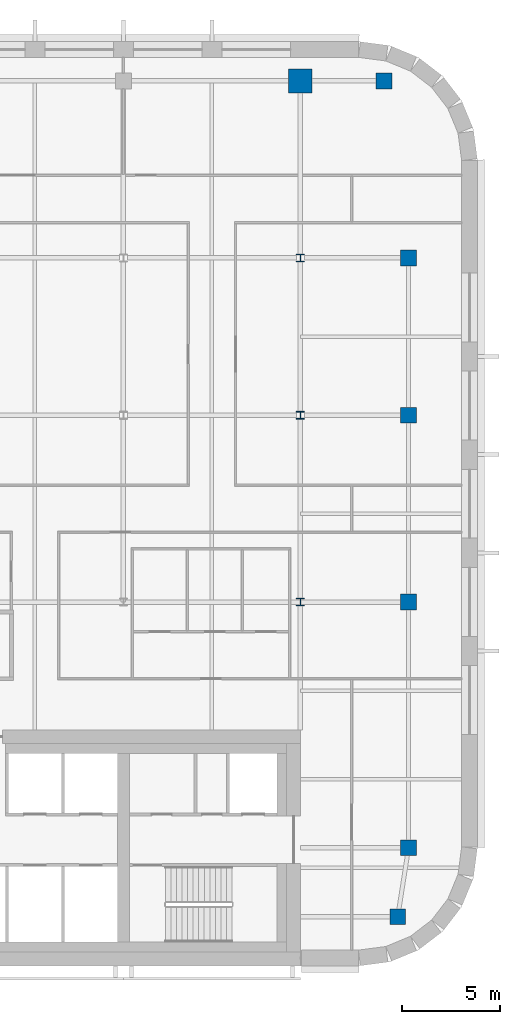
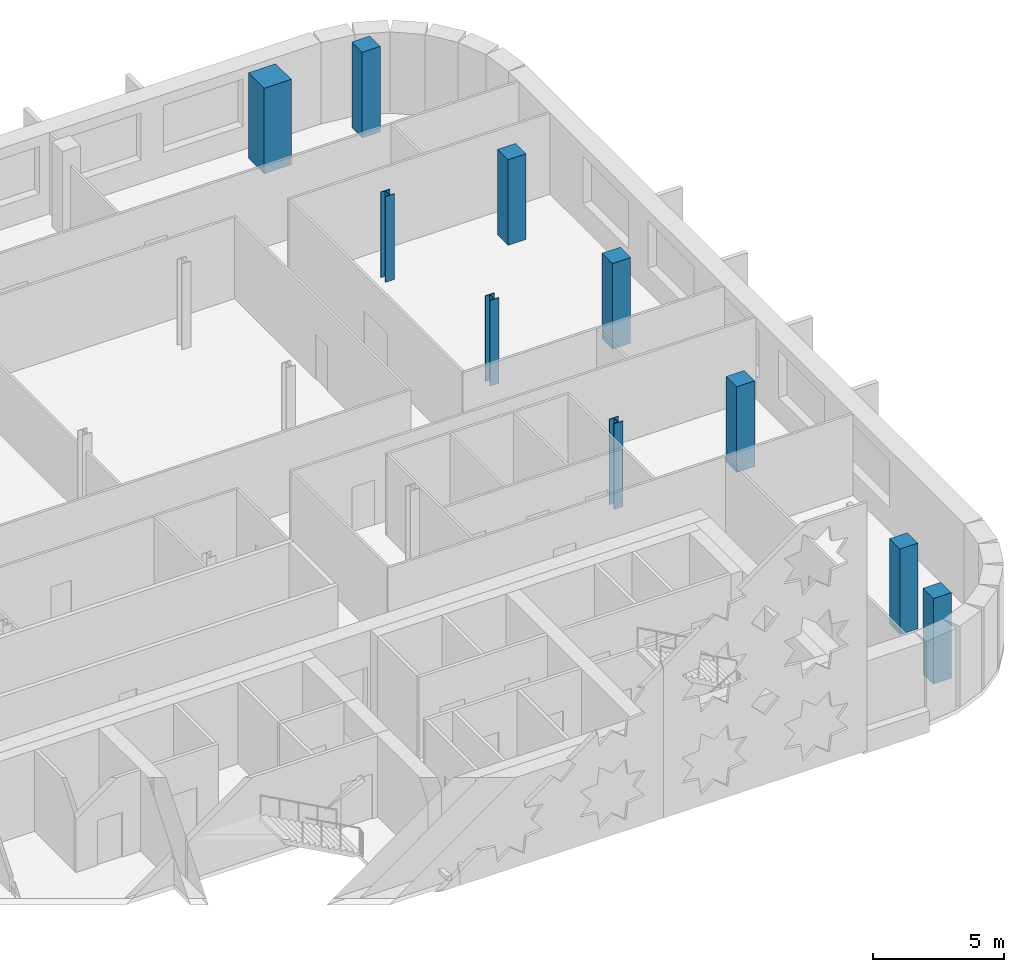
# One storey, part 4 of 18: 10 columns.
"""IFC4 building model written with IfcOpenShell, lengths in metres."""

from ifc_helpers import new_model, si_unit, direction, frame, origin, origin_2d, place, context, subcontext, project, spatial, rectangle, i_section, extrude, material, material_profile, profile_set, type_object, element, save


model = new_model("IFC4")

# Units and contexts
model_context = context("Model", 3, precision=1e-05, world=origin(), true_north=direction((0.0, 1.0)))
body_context = subcontext(model_context, "Body", "Model", "MODEL_VIEW")
ifc_project = project(units=[si_unit("LENGTHUNIT", "METRE"), si_unit("AREAUNIT", "SQUARE_METRE"), si_unit("VOLUMEUNIT", "CUBIC_METRE"), si_unit("PLANEANGLEUNIT", "RADIAN"), si_unit("MASSUNIT", "GRAM", prefix="KILO")], contexts=[model_context])

# Site, building, storey
site_placement = place(None, origin())
site = spatial("IfcSite", under=ifc_project, at=site_placement, CompositionType="ELEMENT")
building_placement = place(site_placement, origin())
building = spatial("IfcBuilding", under=site, at=building_placement, Name="Zellij Exchange Tower", CompositionType="ELEMENT")
storey_placement = place(building_placement, frame((0.0, 0.0, 228.5)))
storey = spatial("IfcBuildingStorey", under=building, at=storey_placement, Name="L53", CompositionType="ELEMENT", Elevation=228.5)

# Columns
ifc_material_1 = material(Name="Concrete C50/60", Category="concrete")
ifc_material_profile_1 = material_profile(ifc_material_1, rectangle(XDim=0.800048828125, YDim=0.800048828125, at=origin_2d()), Name="STR-COLUMN RC800x800 C50/60")
ifc_profile_set_1 = profile_set([ifc_material_profile_1], Name="Concrete C50/60")
column_type_1 = type_object("IfcColumnType", Name="STR-COLUMN RC800x800 C50/60", PredefinedType="COLUMN", material=ifc_profile_set_1)
for number, where, z_axis, x_axis, name in (
    (1, (31.949951171875, -11.5, 0.0), (0.0, 0.0, 1.0), (1.0, 0.0, 0.0), "C15"),
    (2, (32.5, -8.0, 0.0), (0.0, 0.0, 1.0), (1.0, 0.0, 0.0), "C15"),
    (3, (32.5, 4.5, 0.0), (0.0, 0.0, 1.0), (1.0, 0.0, 0.0), "C15"),
    (4, (32.5, 14.0, 0.0), (0.0, 0.0, 1.0), (1.0, 0.0, 0.0), "C15"),
    (5, (32.5, 22.0, 0.0), (0.0, 0.0, 1.0), (1.0, 0.0, 0.0), "C15"),
    (6, (31.25, 31.0, 0.0), (0.0, 0.0, 1.0), (1.0, 0.0, 0.0), "C15"),
):
    element("IfcColumn", number, at=place(storey_placement, frame(where, z_axis=z_axis, x_axis=x_axis)), inside=storey, type_object=column_type_1, Name=name, PredefinedType="COLUMN", context=body_context, shape_type="SweptSolid", body=[
        extrude(rectangle(XDim=0.800048828125, YDim=0.800048828125, at=origin_2d()), origin(), (0.0, 0.0, 1.0), 4.0),
    ])
ifc_material_2 = material(Name="Structural steel ASTM A992 Gr 50", Category="steel")
ifc_material_profile_2 = material_profile(ifc_material_2, i_section(OverallWidth=0.398681640625, OverallDepth=0.385986328125, WebThickness=0.02099609375, FlangeThickness=0.033203125, at=origin_2d()), Name="W14x176")
ifc_profile_set_2 = profile_set([ifc_material_profile_2], Name="Structural steel ASTM A992 Gr 50")
column_type_2 = type_object("IfcColumnType", Name="STR-COLUMN W14x176", PredefinedType="COLUMN", material=ifc_profile_set_2)
for number, where, z_axis, x_axis, name in (
    (7, (27.0, 4.5, 0.0), (0.0, 0.0, 1.0), (1.0, 0.0, 0.0), "C2"),
    (8, (27.0, 14.0, 0.0), (0.0, 0.0, 1.0), (1.0, 0.0, 0.0), "C2"),
    (9, (27.0, 22.0, 0.0), (0.0, 0.0, 1.0), (1.0, 0.0, 0.0), "C2"),
):
    element("IfcColumn", number, at=place(storey_placement, frame(where, z_axis=z_axis, x_axis=x_axis)), inside=storey, type_object=column_type_2, Name=name, PredefinedType="COLUMN", context=body_context, shape_type="SweptSolid", body=[
        extrude(i_section(OverallWidth=0.398681640625, OverallDepth=0.385986328125, WebThickness=0.02099609375, FlangeThickness=0.033203125, at=origin_2d()), origin(), (0.0, 0.0, 1.0), 4.0),
    ])
ifc_material_profile_3 = material_profile(ifc_material_1, rectangle(XDim=1.199951171875, YDim=1.199951171875, at=origin_2d()), Name="STR-MEGA COLUMN RC1200x1200 C50/60")
ifc_profile_set_3 = profile_set([ifc_material_profile_3], Name="Concrete C50/60")
column_type_3 = type_object("IfcColumnType", Name="STR-MEGA COLUMN RC1200x1200 C50/60", PredefinedType="COLUMN", material=ifc_profile_set_3)
column_placement = place(storey_placement, frame((27.0, 31.0, 0.0), z_axis=(0.0, 0.0, 1.0), x_axis=(1.0, 0.0, 0.0)))
element("IfcColumn", 10, at=column_placement, inside=storey, type_object=column_type_3, Name="MC2", PredefinedType="COLUMN", context=body_context, shape_type="SweptSolid", body=[
    extrude(rectangle(XDim=1.199951171875, YDim=1.199951171875, at=origin_2d()), origin(), (0.0, 0.0, 1.0), 4.0),
])

save(model, "model.ifc")
